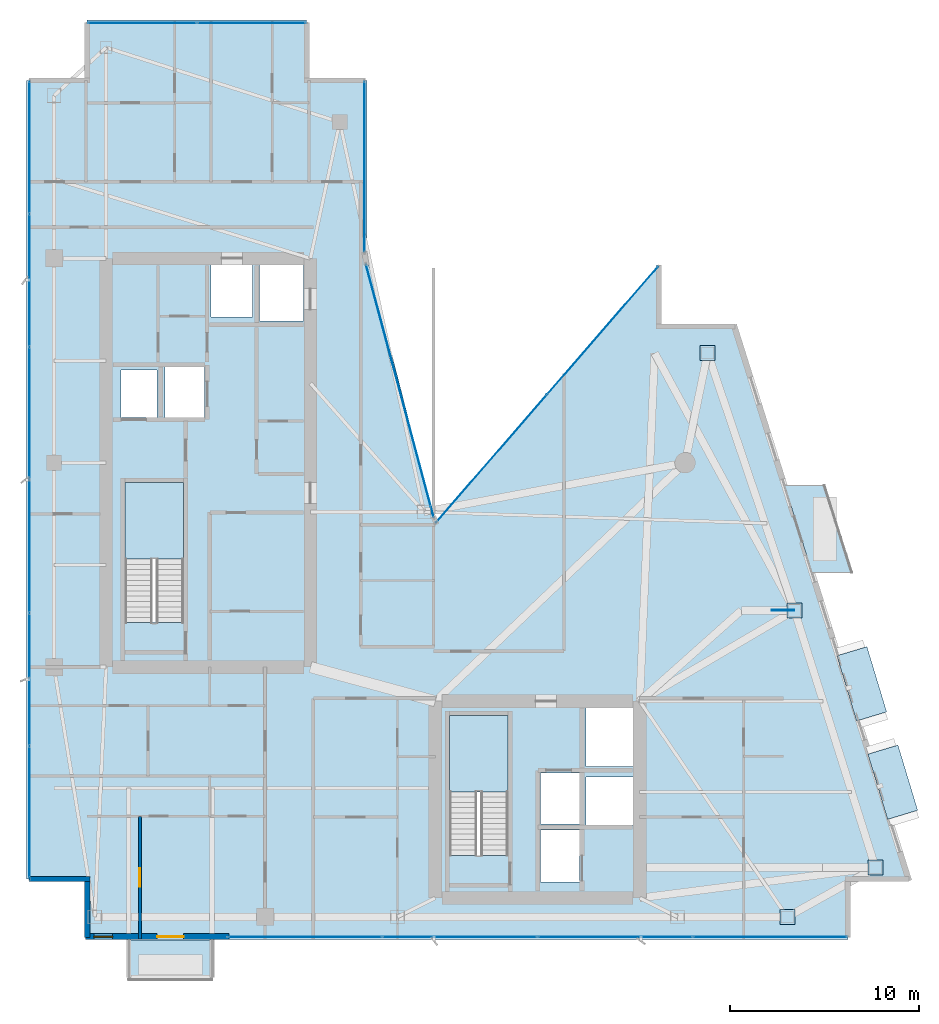
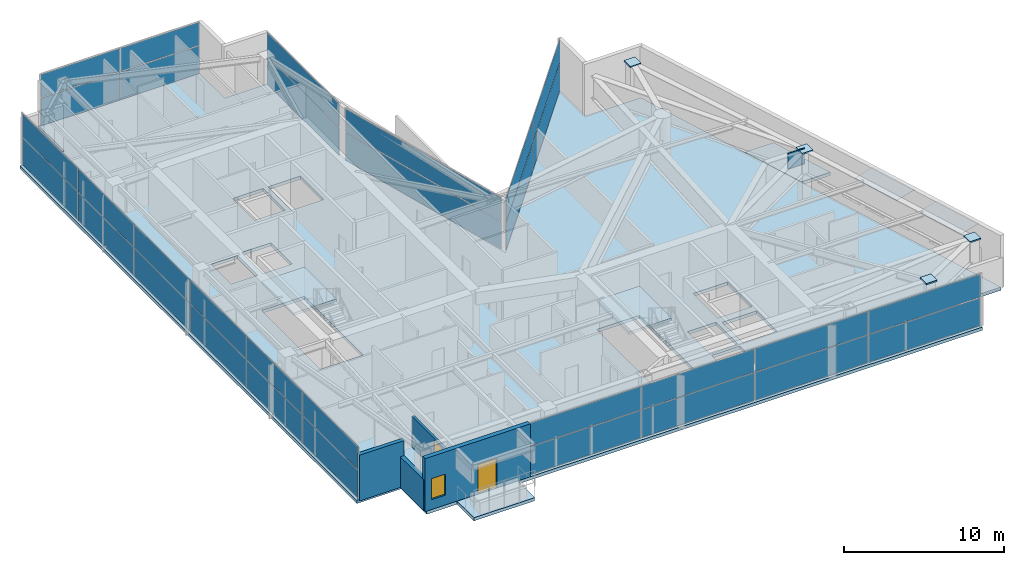
# One storey, part 23 of 29: 39 plates, 5 slabs, 4 walls, 2 doors, 1 window, 3 openings, 8 elements without a shape of their own.
"""IFC4 building model written with IfcOpenShell, lengths in metres."""

from ifc_helpers import new_model, si_unit, direction, frame, frame_2d, origin, origin_2d, place, context, subcontext, project, spatial, polyline, rectangle, outline, extrude, material, layer, layer_set, type_object, element, fill, aggregate, save


model = new_model("IFC4")

# Units and contexts
model_context = context("Model", 3, precision=1e-05, world=origin(), true_north=direction((0.0, 1.0)))
body_context = subcontext(model_context, "Body", "Model", "MODEL_VIEW")
ifc_project = project(units=[si_unit("LENGTHUNIT", "METRE"), si_unit("AREAUNIT", "SQUARE_METRE"), si_unit("VOLUMEUNIT", "CUBIC_METRE"), si_unit("PLANEANGLEUNIT", "RADIAN"), si_unit("MASSUNIT", "GRAM", prefix="KILO")], contexts=[model_context])

# Site, building, storey
site_placement = place(None, origin())
site = spatial("IfcSite", under=ifc_project, at=site_placement, CompositionType="ELEMENT")
building_placement = place(site_placement, origin())
building = spatial("IfcBuilding", under=site, at=building_placement, Name="Calvorn Quay Hotel", CompositionType="ELEMENT")
storey_placement = place(building_placement, frame((0.0, 0.0, 259.0)))
storey = spatial("IfcBuildingStorey", under=building, at=storey_placement, Name="L64", CompositionType="ELEMENT", Elevation=259.0)

# Curtain wall, plates
ifc_material_1 = material(Name="Champagne Bronze Anodised Aluminium and Low-E Glass", Category="aluminium")
ifc_layer_1 = layer(ifc_material_1, 0.219970703125)
ifc_layer_set_1 = layer_set([ifc_layer_1], Name="CW-SYS-Z4")
curtain_wall_type = type_object("IfcCurtainWallType", Name="CW-SYS-Z4", PredefinedType="NOTDEFINED", material=ifc_layer_set_1)
curtain_wall_1_placement = place(storey_placement, origin())
curtain_wall_1 = element("IfcCurtainWall", 1, at=curtain_wall_1_placement, inside=storey, type_object=curtain_wall_type, Name="Tower West Curtain Wall (L64)", PredefinedType="NOTDEFINED")
ifc_material_2 = material(Name="Low-E Laminated Double Glazing", Category="glass")
ifc_layer_2 = layer(ifc_material_2, 0.028076171875)
ifc_layer_set_2 = layer_set([ifc_layer_2], Name="CW-SYS-Z4-PAN")
plate_type_1 = type_object("IfcPlateType", Name="CW-SYS-Z4-PAN", PredefinedType="CURTAIN_PANEL", material=ifc_layer_set_2)
plate_1_placement = place(storey_placement, frame((0.14990234375, 9.131591796875, 0.06005859375), z_axis=(0.0, 0.0, 1.0), x_axis=(0.0, 1.0, 0.0)))
plate_1 = element("IfcPlate", 2, at=plate_1_placement, type_object=plate_type_1, Name="CW-L64-W panel 1.1", PredefinedType="CURTAIN_PANEL", context=body_context, shape_type="SweptSolid", body=[
    extrude(rectangle(XDim=6.943359375, YDim=0.028076171875, at=origin_2d()), origin(), (0.0, 0.0, 1.0), 2.110107421875),
])
plate_2_placement = place(storey_placement, frame((0.14990234375, 9.131591796875, 2.22998046875), z_axis=(0.0, 0.0, 1.0), x_axis=(0.0, 1.0, 0.0)))
plate_2 = element("IfcPlate", 3, at=plate_2_placement, type_object=plate_type_1, Name="CW-L64-W panel 1.2", PredefinedType="CURTAIN_PANEL", context=body_context, shape_type="SweptSolid", body=[
    extrude(rectangle(XDim=6.943359375, YDim=0.028076171875, at=origin_2d()), origin(), (0.0, 0.0, 1.0), 1.760009765625),
])
plate_3_placement = place(storey_placement, frame((0.14990234375, 16.14990234375, 0.06005859375), z_axis=(0.0, 0.0, 1.0), x_axis=(0.0, 1.0, 0.0)))
plate_3 = element("IfcPlate", 4, at=plate_3_placement, type_object=plate_type_1, Name="CW-L64-W panel 2.1", PredefinedType="CURTAIN_PANEL", context=body_context, shape_type="SweptSolid", body=[
    extrude(rectangle(XDim=6.973388671875, YDim=0.028076171875, at=origin_2d()), origin(), (0.0, 0.0, 1.0), 2.110107421875),
])
plate_4_placement = place(storey_placement, frame((0.14990234375, 16.14990234375, 2.22998046875), z_axis=(0.0, 0.0, 1.0), x_axis=(0.0, 1.0, 0.0)))
plate_4 = element("IfcPlate", 5, at=plate_4_placement, type_object=plate_type_1, Name="CW-L64-W panel 2.2", PredefinedType="CURTAIN_PANEL", context=body_context, shape_type="SweptSolid", body=[
    extrude(rectangle(XDim=6.973388671875, YDim=0.028076171875, at=origin_2d()), origin(), (0.0, 0.0, 1.0), 1.760009765625),
])
plate_5_placement = place(storey_placement, frame((0.14990234375, 23.183349609375, 0.06005859375), z_axis=(0.0, 0.0, 1.0), x_axis=(0.0, 1.0, 0.0)))
plate_5 = element("IfcPlate", 6, at=plate_5_placement, type_object=plate_type_1, Name="CW-L64-W panel 3.1", PredefinedType="CURTAIN_PANEL", context=body_context, shape_type="SweptSolid", body=[
    extrude(rectangle(XDim=6.973388671875, YDim=0.028076171875, at=origin_2d()), origin(), (0.0, 0.0, 1.0), 2.110107421875),
])
plate_6_placement = place(storey_placement, frame((0.14990234375, 23.183349609375, 2.22998046875), z_axis=(0.0, 0.0, 1.0), x_axis=(0.0, 1.0, 0.0)))
plate_6 = element("IfcPlate", 7, at=plate_6_placement, type_object=plate_type_1, Name="CW-L64-W panel 3.2", PredefinedType="CURTAIN_PANEL", context=body_context, shape_type="SweptSolid", body=[
    extrude(rectangle(XDim=6.973388671875, YDim=0.028076171875, at=origin_2d()), origin(), (0.0, 0.0, 1.0), 1.760009765625),
])
plate_7_placement = place(storey_placement, frame((0.14990234375, 30.216552734375, 0.06005859375), z_axis=(0.0, 0.0, 1.0), x_axis=(0.0, 1.0, 0.0)))
plate_7 = element("IfcPlate", 8, at=plate_7_placement, type_object=plate_type_1, Name="CW-L64-W panel 4.1", PredefinedType="CURTAIN_PANEL", context=body_context, shape_type="SweptSolid", body=[
    extrude(rectangle(XDim=6.973388671875, YDim=0.028076171875, at=origin_2d()), origin(), (0.0, 0.0, 1.0), 2.110107421875),
])
plate_8_placement = place(storey_placement, frame((0.14990234375, 30.216552734375, 2.22998046875), z_axis=(0.0, 0.0, 1.0), x_axis=(0.0, 1.0, 0.0)))
plate_8 = element("IfcPlate", 9, at=plate_8_placement, type_object=plate_type_1, Name="CW-L64-W panel 4.2", PredefinedType="CURTAIN_PANEL", context=body_context, shape_type="SweptSolid", body=[
    extrude(rectangle(XDim=6.973388671875, YDim=0.028076171875, at=origin_2d()), origin(), (0.0, 0.0, 1.0), 1.760009765625),
])
plate_9_placement = place(storey_placement, frame((0.14990234375, 37.25, 0.06005859375), z_axis=(0.0, 0.0, 1.0), x_axis=(0.0, 1.0, 0.0)))
plate_9 = element("IfcPlate", 10, at=plate_9_placement, type_object=plate_type_1, Name="CW-L64-W panel 5.1", PredefinedType="CURTAIN_PANEL", context=body_context, shape_type="SweptSolid", body=[
    extrude(rectangle(XDim=6.973388671875, YDim=0.028076171875, at=origin_2d()), origin(), (0.0, 0.0, 1.0), 2.110107421875),
])
plate_10_placement = place(storey_placement, frame((0.14990234375, 37.25, 2.22998046875), z_axis=(0.0, 0.0, 1.0), x_axis=(0.0, 1.0, 0.0)))
plate_10 = element("IfcPlate", 11, at=plate_10_placement, type_object=plate_type_1, Name="CW-L64-W panel 5.2", PredefinedType="CURTAIN_PANEL", context=body_context, shape_type="SweptSolid", body=[
    extrude(rectangle(XDim=6.973388671875, YDim=0.028076171875, at=origin_2d()), origin(), (0.0, 0.0, 1.0), 1.760009765625),
])
plate_11_placement = place(storey_placement, frame((0.14990234375, 44.268310546875, 0.06005859375), z_axis=(0.0, 0.0, 1.0), x_axis=(0.0, 1.0, 0.0)))
plate_11 = element("IfcPlate", 12, at=plate_11_placement, type_object=plate_type_1, Name="CW-L64-W panel 6.1", PredefinedType="CURTAIN_PANEL", context=body_context, shape_type="SweptSolid", body=[
    extrude(rectangle(XDim=6.943359375, YDim=0.028076171875, at=origin_2d()), origin(), (0.0, 0.0, 1.0), 2.110107421875),
])
plate_12_placement = place(storey_placement, frame((0.14990234375, 44.268310546875, 2.22998046875), z_axis=(0.0, 0.0, 1.0), x_axis=(0.0, 1.0, 0.0)))
plate_12 = element("IfcPlate", 13, at=plate_12_placement, type_object=plate_type_1, Name="CW-L64-W panel 6.2", PredefinedType="CURTAIN_PANEL", context=body_context, shape_type="SweptSolid", body=[
    extrude(rectangle(XDim=6.943359375, YDim=0.028076171875, at=origin_2d()), origin(), (0.0, 0.0, 1.0), 1.760009765625),
])
aggregate(curtain_wall_1, [plate_1, plate_2, plate_3, plate_4, plate_5, plate_6, plate_7, plate_8, plate_9, plate_10, plate_11, plate_12])

curtain_wall_2_placement = place(storey_placement, origin())
curtain_wall_2 = element("IfcCurtainWall", 14, at=curtain_wall_2_placement, inside=storey, type_object=curtain_wall_type, Name="Tower South Waterfront Curtain Wall (L64)", PredefinedType="NOTDEFINED")
plate_13_placement = place(storey_placement, frame((14.715087890625, 2.550048828125, 0.06005859375), z_axis=(0.0, 0.0, 1.0), x_axis=(1.0, 0.0, 0.0)))
plate_13 = element("IfcPlate", 15, at=plate_13_placement, type_object=plate_type_1, Name="CW-L64-S panel 1.1", PredefinedType="CURTAIN_PANEL", context=body_context, shape_type="SweptSolid", body=[
    extrude(rectangle(XDim=8.110107421875, YDim=0.028076171875, at=origin_2d()), origin(), (0.0, 0.0, 1.0), 2.110107421875),
])
plate_14_placement = place(storey_placement, frame((14.715087890625, 2.550048828125, 2.22998046875), z_axis=(0.0, 0.0, 1.0), x_axis=(1.0, 0.0, 0.0)))
plate_14 = element("IfcPlate", 16, at=plate_14_placement, type_object=plate_type_1, Name="CW-L64-S panel 1.2", PredefinedType="CURTAIN_PANEL", context=body_context, shape_type="SweptSolid", body=[
    extrude(rectangle(XDim=8.110107421875, YDim=0.028076171875, at=origin_2d()), origin(), (0.0, 0.0, 1.0), 1.760009765625),
])
plate_15_placement = place(storey_placement, frame((22.89990234375, 2.550048828125, 0.06005859375), z_axis=(0.0, 0.0, 1.0), x_axis=(1.0, 0.0, 0.0)))
plate_15 = element("IfcPlate", 17, at=plate_15_placement, type_object=plate_type_1, Name="CW-L64-S panel 2.1", PredefinedType="CURTAIN_PANEL", context=body_context, shape_type="SweptSolid", body=[
    extrude(rectangle(XDim=8.139892578125, YDim=0.028076171875, at=origin_2d()), origin(), (0.0, 0.0, 1.0), 2.110107421875),
])
plate_16_placement = place(storey_placement, frame((22.89990234375, 2.550048828125, 2.22998046875), z_axis=(0.0, 0.0, 1.0), x_axis=(1.0, 0.0, 0.0)))
plate_16 = element("IfcPlate", 18, at=plate_16_placement, type_object=plate_type_1, Name="CW-L64-S panel 2.2", PredefinedType="CURTAIN_PANEL", context=body_context, shape_type="SweptSolid", body=[
    extrude(rectangle(XDim=8.139892578125, YDim=0.028076171875, at=origin_2d()), origin(), (0.0, 0.0, 1.0), 1.760009765625),
])
plate_17_placement = place(storey_placement, frame((31.10009765625, 2.550048828125, 0.06005859375), z_axis=(0.0, 0.0, 1.0), x_axis=(1.0, 0.0, 0.0)))
plate_17 = element("IfcPlate", 19, at=plate_17_placement, type_object=plate_type_1, Name="CW-L64-S panel 3.1", PredefinedType="CURTAIN_PANEL", context=body_context, shape_type="SweptSolid", body=[
    extrude(rectangle(XDim=8.139892578125, YDim=0.028076171875, at=origin_2d()), origin(), (0.0, 0.0, 1.0), 2.110107421875),
])
plate_18_placement = place(storey_placement, frame((31.10009765625, 2.550048828125, 2.22998046875), z_axis=(0.0, 0.0, 1.0), x_axis=(1.0, 0.0, 0.0)))
plate_18 = element("IfcPlate", 20, at=plate_18_placement, type_object=plate_type_1, Name="CW-L64-S panel 3.2", PredefinedType="CURTAIN_PANEL", context=body_context, shape_type="SweptSolid", body=[
    extrude(rectangle(XDim=8.139892578125, YDim=0.028076171875, at=origin_2d()), origin(), (0.0, 0.0, 1.0), 1.760009765625),
])
plate_19_placement = place(storey_placement, frame((39.284912109375, 2.550048828125, 0.06005859375), z_axis=(0.0, 0.0, 1.0), x_axis=(1.0, 0.0, 0.0)))
plate_19 = element("IfcPlate", 21, at=plate_19_placement, type_object=plate_type_1, Name="CW-L64-S panel 4.1", PredefinedType="CURTAIN_PANEL", context=body_context, shape_type="SweptSolid", body=[
    extrude(rectangle(XDim=8.110107421875, YDim=0.028076171875, at=origin_2d()), origin(), (0.0, 0.0, 1.0), 2.110107421875),
])
plate_20_placement = place(storey_placement, frame((39.284912109375, 2.550048828125, 2.22998046875), z_axis=(0.0, 0.0, 1.0), x_axis=(1.0, 0.0, 0.0)))
plate_20 = element("IfcPlate", 22, at=plate_20_placement, type_object=plate_type_1, Name="CW-L64-S panel 4.2", PredefinedType="CURTAIN_PANEL", context=body_context, shape_type="SweptSolid", body=[
    extrude(rectangle(XDim=8.110107421875, YDim=0.028076171875, at=origin_2d()), origin(), (0.0, 0.0, 1.0), 1.760009765625),
])
aggregate(curtain_wall_2, [plate_13, plate_14, plate_15, plate_16, plate_17, plate_18, plate_19, plate_20])

curtain_wall_3_placement = place(storey_placement, origin())
curtain_wall_3 = element("IfcCurtainWall", 23, at=curtain_wall_3_placement, inside=storey, type_object=curtain_wall_type, Name="Inner Court Curtain Wall L64-NE1", PredefinedType="NOTDEFINED")
plate_21_placement = place(storey_placement, frame((30.440185546875, 34.588623046875, 0.06005859375), z_axis=(0.0, 0.0, 1.0), x_axis=(-0.655353317216, -0.755322467304, 0.0)))
plate_21 = element("IfcPlate", 24, at=plate_21_placement, type_object=plate_type_1, Name="CW-L64-NE1 panel 1.1", PredefinedType="CURTAIN_PANEL", context=body_context, shape_type="SweptSolid", body=[
    extrude(rectangle(XDim=8.912841796875, YDim=0.028076171875, at=origin_2d()), origin(), (0.0, 0.0, 1.0), 2.110107421875),
])
plate_22_placement = place(storey_placement, frame((30.440185546875, 34.588623046875, 2.22998046875), z_axis=(0.0, 0.0, 1.0), x_axis=(-0.655353317216, -0.755322467304, 0.0)))
plate_22 = element("IfcPlate", 25, at=plate_22_placement, type_object=plate_type_1, Name="CW-L64-NE1 panel 1.2", PredefinedType="CURTAIN_PANEL", context=body_context, shape_type="SweptSolid", body=[
    extrude(rectangle(XDim=8.912841796875, YDim=0.028076171875, at=origin_2d()), origin(), (0.0, 0.0, 1.0), 1.760009765625),
])
plate_23_placement = place(storey_placement, frame((24.559814453125, 27.811279296875, 0.06005859375), z_axis=(0.0, 0.0, 1.0), x_axis=(-0.655353317216, -0.755322467304, 0.0)))
plate_23 = element("IfcPlate", 26, at=plate_23_placement, type_object=plate_type_1, Name="CW-L64-NE1 panel 2.1", PredefinedType="CURTAIN_PANEL", context=body_context, shape_type="SweptSolid", body=[
    extrude(rectangle(XDim=8.912841796875, YDim=0.028076171875, at=origin_2d()), origin(), (0.0, 0.0, 1.0), 2.110107421875),
])
plate_24_placement = place(storey_placement, frame((24.559814453125, 27.811279296875, 2.22998046875), z_axis=(0.0, 0.0, 1.0), x_axis=(-0.655353317216, -0.755322467304, 0.0)))
plate_24 = element("IfcPlate", 27, at=plate_24_placement, type_object=plate_type_1, Name="CW-L64-NE1 panel 2.2", PredefinedType="CURTAIN_PANEL", context=body_context, shape_type="SweptSolid", body=[
    extrude(rectangle(XDim=8.912841796875, YDim=0.028076171875, at=origin_2d()), origin(), (0.0, 0.0, 1.0), 1.760009765625),
])
aggregate(curtain_wall_3, [plate_21, plate_22, plate_23, plate_24])

curtain_wall_4_placement = place(storey_placement, origin())
curtain_wall_4 = element("IfcCurtainWall", 28, at=curtain_wall_4_placement, inside=storey, type_object=curtain_wall_type, Name="Inner Court Curtain Wall L64-IC1", PredefinedType="NOTDEFINED")
plate_25_placement = place(storey_placement, frame((19.72509765625, 31.39990234375, 0.06005859375), z_axis=(0.0, 0.0, 1.0), x_axis=(-0.25877913024, 0.96593652056, 0.0)))
plate_25 = element("IfcPlate", 29, at=plate_25_placement, type_object=plate_type_1, Name="CW-L64-IC1 panel 1.1", PredefinedType="CURTAIN_PANEL", context=body_context, shape_type="SweptSolid", body=[
    extrude(rectangle(XDim=13.814697265625, YDim=0.028076171875, at=origin_2d()), origin(), (0.0, 0.0, 1.0), 2.110107421875),
])
plate_26_placement = place(storey_placement, frame((19.72509765625, 31.39990234375, 2.22998046875), z_axis=(0.0, 0.0, 1.0), x_axis=(-0.25877913024, 0.96593652056, 0.0)))
plate_26 = element("IfcPlate", 30, at=plate_26_placement, type_object=plate_type_1, Name="CW-L64-IC1 panel 1.2", PredefinedType="CURTAIN_PANEL", context=body_context, shape_type="SweptSolid", body=[
    extrude(rectangle(XDim=13.814697265625, YDim=0.028076171875, at=origin_2d()), origin(), (0.0, 0.0, 1.0), 1.760009765625),
])
aggregate(curtain_wall_4, [plate_25, plate_26])

curtain_wall_5_placement = place(storey_placement, origin())
curtain_wall_5 = element("IfcCurtainWall", 31, at=curtain_wall_5_placement, inside=storey, type_object=curtain_wall_type, Name="Inner Court Curtain Wall L64-IC2", PredefinedType="NOTDEFINED")
plate_27_placement = place(storey_placement, frame((17.85009765625, 43.239990234375, 0.06005859375), z_axis=(0.0, 0.0, 1.0), x_axis=(0.0, 1.0, 0.0)))
plate_27 = element("IfcPlate", 32, at=plate_27_placement, type_object=plate_type_1, Name="CW-L64-IC2 panel 1.1", PredefinedType="CURTAIN_PANEL", context=body_context, shape_type="SweptSolid", body=[
    extrude(rectangle(XDim=9.0, YDim=0.028076171875, at=origin_2d()), origin(), (0.0, 0.0, 1.0), 2.110107421875),
])
plate_28_placement = place(storey_placement, frame((17.85009765625, 43.239990234375, 2.22998046875), z_axis=(0.0, 0.0, 1.0), x_axis=(0.0, 1.0, 0.0)))
plate_28 = element("IfcPlate", 33, at=plate_28_placement, type_object=plate_type_1, Name="CW-L64-IC2 panel 1.2", PredefinedType="CURTAIN_PANEL", context=body_context, shape_type="SweptSolid", body=[
    extrude(rectangle(XDim=9.0, YDim=0.028076171875, at=origin_2d()), origin(), (0.0, 0.0, 1.0), 1.760009765625),
])
aggregate(curtain_wall_5, [plate_27, plate_28])

curtain_wall_6_placement = place(storey_placement, origin())
curtain_wall_6 = element("IfcCurtainWall", 34, at=curtain_wall_6_placement, inside=storey, type_object=curtain_wall_type, Name="Inner Court Curtain Wall L64-N1", PredefinedType="NOTDEFINED")
plate_29_placement = place(storey_placement, frame((11.885009765625, 50.85009765625, 0.06005859375), z_axis=(0.0, 0.0, 1.0), x_axis=(-1.0, 0.0, 0.0)))
plate_29 = element("IfcPlate", 35, at=plate_29_placement, type_object=plate_type_1, Name="CW-L64-N1 panel 1.1", PredefinedType="CURTAIN_PANEL", context=body_context, shape_type="SweptSolid", body=[
    extrude(rectangle(XDim=5.7099609375, YDim=0.028076171875, at=origin_2d()), origin(), (0.0, 0.0, 1.0), 2.110107421875),
])
plate_30_placement = place(storey_placement, frame((11.885009765625, 50.85009765625, 2.22998046875), z_axis=(0.0, 0.0, 1.0), x_axis=(-1.0, 0.0, 0.0)))
plate_30 = element("IfcPlate", 36, at=plate_30_placement, type_object=plate_type_1, Name="CW-L64-N1 panel 1.2", PredefinedType="CURTAIN_PANEL", context=body_context, shape_type="SweptSolid", body=[
    extrude(rectangle(XDim=5.7099609375, YDim=0.028076171875, at=origin_2d()), origin(), (0.0, 0.0, 1.0), 1.760009765625),
])
plate_31_placement = place(storey_placement, frame((6.114990234375, 50.85009765625, 0.06005859375), z_axis=(0.0, 0.0, 1.0), x_axis=(-1.0, 0.0, 0.0)))
plate_31 = element("IfcPlate", 37, at=plate_31_placement, type_object=plate_type_1, Name="CW-L64-N1 panel 2.1", PredefinedType="CURTAIN_PANEL", context=body_context, shape_type="SweptSolid", body=[
    extrude(rectangle(XDim=5.7099609375, YDim=0.028076171875, at=origin_2d()), origin(), (0.0, 0.0, 1.0), 2.110107421875),
])
plate_32_placement = place(storey_placement, frame((6.114990234375, 50.85009765625, 2.22998046875), z_axis=(0.0, 0.0, 1.0), x_axis=(-1.0, 0.0, 0.0)))
plate_32 = element("IfcPlate", 38, at=plate_32_placement, type_object=plate_type_1, Name="CW-L64-N1 panel 2.2", PredefinedType="CURTAIN_PANEL", context=body_context, shape_type="SweptSolid", body=[
    extrude(rectangle(XDim=5.7099609375, YDim=0.028076171875, at=origin_2d()), origin(), (0.0, 0.0, 1.0), 1.760009765625),
])
aggregate(curtain_wall_6, [plate_29, plate_30, plate_31, plate_32])

# Plates
ifc_material_3 = material(Name="Steel Q420GJC", Category="steel")
ifc_layer_3 = layer(ifc_material_3, 0.050048828125)
ifc_layer_set_3 = layer_set([ifc_layer_3], Name="PLT-GUSSET-50")
plate_type_2 = type_object("IfcPlateType", Name="PLT-GUSSET-50", PredefinedType="SHEET", material=ifc_layer_set_3)
plate_33_placement = place(storey_placement, frame((39.97607421875, 19.800048828125, 2.9501953125), z_axis=(0.0, 0.0, 1.0), x_axis=(1.0, 0.0, 0.0)))
element("IfcPlate", 39, at=plate_33_placement, inside=storey, type_object=plate_type_2, Name="Transfer Gusset Plate PG-L64-E1", PredefinedType="SHEET", context=body_context, shape_type="SweptSolid", body=[
    extrude(rectangle(XDim=1.199951171875, YDim=0.050048828125, at=origin_2d()), origin(), (0.0, 0.0, 1.0), 1.199951171875),
])
ifc_material_4 = material(Name="Tempered Laminated Low-E Glass", Category="glass")
ifc_layer_4 = layer(ifc_material_4, 0.0380859375)
ifc_layer_set_4 = layer_set([ifc_layer_4], Name="PLT-HOOD-GLAZ")
plate_type_3 = type_object("IfcPlateType", Name="PLT-HOOD-GLAZ", PredefinedType="SHEET", material=ifc_layer_set_4)
for number, where, z_axis, x_axis, name in (
    (40, (45.77490234375, 10.718017578125, 2.467041015625), (0.0, 0.0, 1.0), (0.957319497532, 0.289031796944, 0.0), "Angled Glass Bay Hood Panel L64-HOOD-1"),
    (41, (44.135009765625, 15.91796875, 2.467041015625), (0.0, 0.0, 1.0), (0.957319497532, 0.289031796944, 0.0), "Angled Glass Bay Hood Panel L64-HOOD-2"),
):
    element("IfcPlate", number, at=place(storey_placement, frame(where, z_axis=z_axis, x_axis=x_axis)), inside=storey, type_object=plate_type_3, Name=name, PredefinedType="SHEET", context=body_context, shape_type="SweptSolid", body=[
        extrude(rectangle(XDim=1.659912109375, YDim=3.60009765625, at=origin_2d()), origin(), (0.0, 0.0, 1.0), 0.0380859375),
    ])
ifc_material_5 = material(Name="Steel Q390GJC", Category="steel")
ifc_layer_5 = layer(ifc_material_5, 0.031982421875)
ifc_layer_set_5 = layer_set([ifc_layer_5], Name="PLT-SPLICE-32")
plate_type_4 = type_object("IfcPlateType", Name="PLT-SPLICE-32", PredefinedType="USERDEFINED", material=ifc_layer_set_5)
for number, where, z_axis, x_axis, name in (
    (42, (40.199951171875, 3.60009765625, 3.989990234375), (0.0, 0.0, 1.0), (1.0, 0.0, 0.0), "Column Top Cap Plate C-S4 (L64)"),
    (43, (44.861083984375, 6.199951171875, 3.989990234375), (0.0, 0.0, 1.0), (1.0, 0.0, 0.0), "Column Top Cap Plate C-ET1 (L64)"),
    (44, (40.575927734375, 19.800048828125, 3.989990234375), (0.0, 0.0, 1.0), (1.0, 0.0, 0.0), "Column Top Cap Plate C-ET2 (L64)"),
    (45, (35.990966796875, 33.39990234375, 3.989990234375), (0.0, 0.0, 1.0), (1.0, 0.0, 0.0), "Column Top Cap Plate C-ET3 (L64)"),
):
    element("IfcPlate", number, at=place(storey_placement, frame(where, z_axis=z_axis, x_axis=x_axis)), inside=storey, type_object=plate_type_4, Name=name, ObjectType="SPLICE_PLATE", PredefinedType="USERDEFINED", context=body_context, shape_type="SweptSolid", body=[
        extrude(rectangle(XDim=0.7900390625, YDim=0.7900390625, at=origin_2d()), origin(), (0.0, 0.0, 1.0), 0.10009765625),
    ])

# Slabs
ifc_material_6 = material(Name="Concrete C40", Category="concrete")
ifc_layer_6 = layer(ifc_material_6, 0.239990234375)
ifc_layer_set_6 = layer_set([ifc_layer_6], Name="SLB-BALCONY-220")
slab_type_1 = type_object("IfcSlabType", Name="SLB-BALCONY-220", PredefinedType="FLOOR", material=ifc_layer_set_6)
slab_1_placement = place(storey_placement, frame((0.0, 0.0, -0.239990234375)))
element("IfcSlab", 46, at=slab_1_placement, inside=storey, type_object=slab_type_1, Name="Tree Balcony Slab L64-BALC-E", PredefinedType="FLOOR", context=body_context, shape_type="SweptSolid", body=[
    extrude(outline(polyline([(41.506103515625, 21.800048828125), (43.60595703125, 21.800048828125), (42.156982421875, 26.39990234375), (40.056884765625, 26.39990234375), (41.506103515625, 21.800048828125)])), origin(), (0.0, 0.0, 1.0), 0.239990234375),
])
slab_2_placement = place(storey_placement, frame((0.0, 0.0, -0.239990234375)))
element("IfcSlab", 47, at=slab_2_placement, inside=storey, type_object=slab_type_1, Name="Tree Balcony Slab L64-BALC-S", PredefinedType="FLOOR", context=body_context, shape_type="SweptSolid", body=[
    extrude(outline(polyline([(5.39990234375, 0.2900390625), (9.800048828125, 0.2900390625), (9.800048828125, 2.389892578125), (5.39990234375, 2.389892578125), (5.39990234375, 0.2900390625)])), origin(), (0.0, 0.0, 1.0), 0.239990234375),
])

# Stair, slab
ifc_material_7 = material(Name="Concrete C40", Category="concrete")
stair_type = type_object("IfcStairType", Name="STR-CORE-DOGLEG", PredefinedType="HALF_TURN_STAIR", material=ifc_material_7)
stair_1_placement = place(storey_placement, origin())
stair_1 = element("IfcStair", 48, at=stair_1_placement, inside=storey, type_object=stair_type, Name="L64 ST-W", PredefinedType="HALF_TURN_STAIR")
ifc_material_8 = material(Name="Concrete C40", Category="concrete")
ifc_layer_7 = layer(ifc_material_8, 0.199951171875)
ifc_layer_set_7 = layer_set([ifc_layer_7], Name="SLB-STAIR-LANDING-200")
slab_type_2 = type_object("IfcSlabType", Name="SLB-STAIR-LANDING-200", PredefinedType="LANDING", material=ifc_layer_set_7)
slab_3_placement = place(storey_placement, frame((0.0, 0.0, 2.050048828125)))
slab_3 = element("IfcSlab", 49, at=slab_3_placement, type_object=slab_type_2, Name="ST-W landing 1", PredefinedType="LANDING", context=body_context, shape_type="SweptSolid", body=[
    extrude(outline(polyline([(8.300048828125, 22.510009765625), (8.300048828125, 26.550048828125), (5.199951171875, 26.550048828125), (5.199951171875, 22.510009765625), (8.300048828125, 22.510009765625)])), origin(), (0.0, 0.0, 1.0), 0.199951171875),
])
aggregate(stair_1, [slab_3])

stair_2_placement = place(storey_placement, origin())
stair_2 = element("IfcStair", 50, at=stair_2_placement, inside=storey, type_object=stair_type, Name="L64 ST-E", PredefinedType="HALF_TURN_STAIR")
slab_4_placement = place(storey_placement, frame((0.0, 0.0, 2.050048828125)))
slab_4 = element("IfcSlab", 51, at=slab_4_placement, type_object=slab_type_2, Name="ST-E landing 1", PredefinedType="LANDING", context=body_context, shape_type="SweptSolid", body=[
    extrude(outline(polyline([(25.449951171875, 10.2099609375), (25.449951171875, 14.25), (22.35009765625, 14.25), (22.35009765625, 10.2099609375), (25.449951171875, 10.2099609375)])), origin(), (0.0, 0.0, 1.0), 0.199951171875),
])
aggregate(stair_2, [slab_4])

# Slab
ifc_material_9 = material(Name="Concrete C40", Category="concrete")
ifc_layer_8 = layer(ifc_material_9, 0.239990234375)
ifc_layer_set_8 = layer_set([ifc_layer_8], Name="SLB-TOWER-240")
slab_type_3 = type_object("IfcSlabType", Name="SLB-TOWER-240", PredefinedType="FLOOR", material=ifc_layer_set_8)
slab_5_placement = place(storey_placement, frame((0.0, 0.0, -0.239990234375)))
element("IfcSlab", 52, at=slab_5_placement, inside=storey, type_object=slab_type_3, Name="L64 Structural Floor Slab", PredefinedType="FLOOR", context=body_context, shape_type="SweptSolid", body=[
    extrude(outline(polyline([(0.0, 5.60009765625), (3.199951171875, 5.60009765625), (3.199951171875, 2.39990234375), (43.39990234375, 2.39990234375), (43.39990234375, 5.60009765625), (46.60009765625, 5.60009765625), (37.39990234375, 34.800048828125), (33.39990234375, 34.800048828125), (33.39990234375, 38.0), (21.60009765625, 24.39990234375), (18.0, 38.39990234375), (18.0, 47.800048828125), (14.800048828125, 47.800048828125), (14.800048828125, 51.0), (3.199951171875, 51.0), (3.199951171875, 47.800048828125), (0.0, 47.800048828125), (0.0, 5.60009765625)]), holes=[polyline([(5.199951171875, 19.156005859375), (8.300048828125, 19.156005859375), (8.300048828125, 26.550048828125), (5.199951171875, 26.550048828125), (5.199951171875, 19.156005859375)]), polyline([(22.35009765625, 6.85595703125), (25.449951171875, 6.85595703125), (25.449951171875, 14.25), (22.35009765625, 14.25), (22.35009765625, 6.85595703125)]), polyline([(5.0, 30.0), (6.89990234375, 30.0), (6.89990234375, 32.5), (5.0, 32.5), (5.0, 30.0)]), polyline([(7.300048828125, 30.0), (9.39990234375, 30.0), (9.39990234375, 32.64990234375), (7.300048828125, 32.64990234375), (7.300048828125, 30.0)]), polyline([(27.159912109375, 8.5), (29.2099609375, 8.5), (29.2099609375, 11.199951171875), (27.159912109375, 11.199951171875), (27.159912109375, 8.5)]), polyline([(27.159912109375, 5.449951171875), (29.2099609375, 5.449951171875), (29.2099609375, 8.199951171875), (27.159912109375, 8.199951171875), (27.159912109375, 5.449951171875)]), polyline([(12.300048828125, 35.10009765625), (14.639892578125, 35.10009765625), (14.639892578125, 38.0400390625), (12.300048828125, 38.0400390625), (12.300048828125, 35.10009765625)]), polyline([(9.75, 35.300048828125), (11.949951171875, 35.300048828125), (11.949951171875, 38.0400390625), (9.75, 38.0400390625), (9.75, 35.300048828125)]), polyline([(29.550048828125, 11.550048828125), (32.0400390625, 11.550048828125), (32.0400390625, 14.639892578125), (29.550048828125, 14.639892578125), (29.550048828125, 11.550048828125)]), polyline([(29.550048828125, 8.449951171875), (32.0400390625, 8.449951171875), (32.0400390625, 11.0), (29.550048828125, 11.0), (29.550048828125, 8.449951171875)])]), origin(), (0.0, 0.0, 1.0), 0.239990234375),
])

# Wall, openings, door, window
ifc_material_10 = material(Name="Concrete C40", Category="concrete")
ifc_layer_9 = layer(ifc_material_10, 0.320068359375)
ifc_layer_set_9 = layer_set([ifc_layer_9], Name="WL-EXT-SPANDREL-320")
wall_type_1 = type_object("IfcWallType", Name="WL-EXT-SPANDREL-320", PredefinedType="SOLIDWALL", material=ifc_layer_set_9)
wall_1_placement = place(storey_placement, frame((3.10009765625, 2.56005859375, 0.0), z_axis=(0.0, 0.0, 1.0), x_axis=(1.0, 0.0, 0.0)))
wall_1 = element("IfcWall", 53, at=wall_1_placement, inside=storey, type_object=wall_type_1, Name="South Balcony Exterior Wall (L64)", PredefinedType="SOLIDWALL", context=body_context, shape_type="SweptSolid", body=[
    extrude(rectangle(XDim=7.599853515625, YDim=0.320068359375, at=frame_2d((3.7998046875, 0.0))), origin(), (0.0, 0.0, 1.0), 4.050048828125),
])
opening_1_placement = place(wall_1_placement, frame((0.449951171875, 0.0, 0.75)))
opening_1 = element("IfcOpeningElement", 54, at=opening_1_placement, cuts=wall_1, Name="Opening WSB-L64-1", PredefinedType="OPENING", context=body_context, shape_type="SweptSolid", body=[
    extrude(rectangle(XDim=1.0, YDim=1.60009765625, at=frame_2d((0.5, 0.800048828125))), frame((0.0, 0.169921875, 0.0), z_axis=(0.0, -1.0, 0.0), x_axis=(1.0, 0.0, 0.0)), (0.0, 0.0, 1.0), 0.340087890625),
])
opening_2_placement = place(wall_1_placement, frame((3.800048828125, 0.0, 0.0)))
opening_2 = element("IfcOpeningElement", 55, at=opening_2_placement, cuts=wall_1, Name="Opening DB-L64-2", PredefinedType="OPENING", context=body_context, shape_type="SweptSolid", body=[
    extrude(rectangle(XDim=1.39990234375, YDim=2.25, at=frame_2d((0.699951171875, 1.125))), frame((0.0, 0.169921875, 0.0), z_axis=(0.0, -1.0, 0.0), x_axis=(1.0, 0.0, 0.0)), (0.0, 0.0, 1.0), 0.340087890625),
])
ifc_material_11 = material(Name="Typhoon-Rated Low-E Aluminium Terrace Door", Category="aluminium")
door_type_1 = type_object("IfcDoorType", Name="DR-BALCONY-GLZ-1400", OperationType="NOTDEFINED", PredefinedType="DOOR", material=ifc_material_11)
door_1_placement = place(opening_2_placement, origin())
door_1 = element("IfcDoor", 56, at=door_1_placement, inside=storey, type_object=door_type_1, Name="Tree Balcony Terrace Door L64-BALC-S", OperationType="SINGLE_SWING_LEFT", OverallHeight=2.25, OverallWidth=1.39990234375, PredefinedType="DOOR", context=body_context, shape_type="SweptSolid", body=[
    extrude(rectangle(XDim=1.39990234375, YDim=2.25, at=frame_2d((0.699951171875, 1.125))), frame((0.0, 0.02490234375, 0.0), z_axis=(0.0, -1.0, 0.0), x_axis=(1.0, 0.0, 0.0)), (0.0, 0.0, 1.0), 0.050048828125),
])
fill(opening_2, door_1)
ifc_material_12 = material(Name="Self-Closing Class B Side Fire Window")
window_type = type_object("IfcWindowType", Name="WIN-REFUGE-NARROW-1000x1600", PartitioningType="SINGLE_PANEL", PredefinedType="WINDOW", material=ifc_material_12)
window_placement = place(opening_1_placement, origin())
window = element("IfcWindow", 57, at=window_placement, inside=storey, type_object=window_type, Name="South Waterfront Side Window (L64)", OverallHeight=1.60009765625, OverallWidth=1.0, PartitioningType="SINGLE_PANEL", PredefinedType="WINDOW", context=body_context, shape_type="SweptSolid", body=[
    extrude(rectangle(XDim=1.0, YDim=1.60009765625, at=frame_2d((0.5, 0.800048828125))), frame((0.0, 0.030029296875, 0.0), z_axis=(0.0, -1.0, 0.0), x_axis=(1.0, 0.0, 0.0)), (0.0, 0.0, 1.0), 0.06005859375),
])
fill(opening_1, window)

# Walls
wall_2_placement = place(storey_placement, frame((0.1201171875, 5.60009765625, 0.0), z_axis=(0.0, 0.0, 1.0), x_axis=(1.0, 0.0, 0.0)))
element("IfcWall", 58, at=wall_2_placement, inside=storey, type_object=wall_type_1, Name="Notched Corner Spandrel L64-SW1", PredefinedType="SOLIDWALL", context=body_context, shape_type="SweptSolid", body=[
    extrude(rectangle(XDim=3.219970703125, YDim=0.280029296875, at=frame_2d((1.60986328125, 0.0))), origin(), (0.0, 0.0, 1.0), 3.5),
])
wall_3_placement = place(storey_placement, frame((3.199951171875, 5.4599609375, 0.0), z_axis=(0.0, 0.0, 1.0), x_axis=(0.0, -1.0, 0.0)))
element("IfcWall", 59, at=wall_3_placement, inside=storey, type_object=wall_type_1, Name="Notched Corner Spandrel L64-SW2", PredefinedType="SOLIDWALL", context=body_context, shape_type="SweptSolid", body=[
    extrude(rectangle(XDim=2.93994140625, YDim=0.280029296875, at=frame_2d((1.469970703125, 0.0))), origin(), (0.0, 0.0, 1.0), 2.35009765625),
])

# Wall, opening, door
ifc_material_13 = material(Name="Double-Stud Acoustic Gypsum Partition")
ifc_layer_10 = layer(ifc_material_13, 0.159912109375)
ifc_layer_set_10 = layer_set([ifc_layer_10], Name="WL-INTERSUITE-160")
wall_type_2 = type_object("IfcWallType", Name="WL-INTERSUITE-160", PredefinedType="PARTITIONING", material=ifc_layer_set_10)
wall_4_placement = place(storey_placement, frame((5.97998046875, 2.43994140625, 0.0), z_axis=(0.0, 0.0, 1.0), x_axis=(0.0, 1.0, 0.0)))
wall_4 = element("IfcWall", 60, at=wall_4_placement, inside=storey, type_object=wall_type_2, Name="Partition Wall L64-WL-U01-MSP", PredefinedType="PARTITIONING", context=body_context, shape_type="SweptSolid", body=[
    extrude(rectangle(XDim=6.47998046875, YDim=0.159912109375, at=frame_2d((3.239990234375, 0.0))), origin(), (0.0, 0.0, 1.0), 2.35009765625),
])
opening_3_placement = place(wall_4_placement, frame((2.760009765625, 0.0, 0.0)))
opening_3 = element("IfcOpeningElement", 61, at=opening_3_placement, cuts=wall_4, Name="Opening D-L64-M01", PredefinedType="OPENING", context=body_context, shape_type="SweptSolid", body=[
    extrude(rectangle(XDim=0.9599609375, YDim=2.199951171875, at=frame_2d((0.47998046875, 1.10009765625))), frame((0.0, 0.08984375, 0.0), z_axis=(0.0, -1.0, 0.0), x_axis=(1.0, 0.0, 0.0)), (0.0, 0.0, 1.0), 0.179931640625),
])
ifc_material_14 = material(Name="Solid Timber Internal Suite Door", Category="wood")
door_type_2 = type_object("IfcDoorType", Name="DR-SUITE-INT-960", OperationType="NOTDEFINED", PredefinedType="DOOR", material=ifc_material_14)
door_2_placement = place(opening_3_placement, origin())
door_2 = element("IfcDoor", 62, at=door_2_placement, inside=storey, type_object=door_type_2, Name="Suite Bedroom Door 01", OperationType="SINGLE_SWING_LEFT", OverallHeight=2.199951171875, OverallWidth=0.9599609375, PredefinedType="DOOR", context=body_context, shape_type="SweptSolid", body=[
    extrude(rectangle(XDim=0.9599609375, YDim=2.199951171875, at=frame_2d((0.47998046875, 1.10009765625))), frame((0.0, 0.02490234375, 0.0), z_axis=(0.0, -1.0, 0.0), x_axis=(1.0, 0.0, 0.0)), (0.0, 0.0, 1.0), 0.050048828125),
])
fill(opening_3, door_2)

save(model, "model.ifc")
